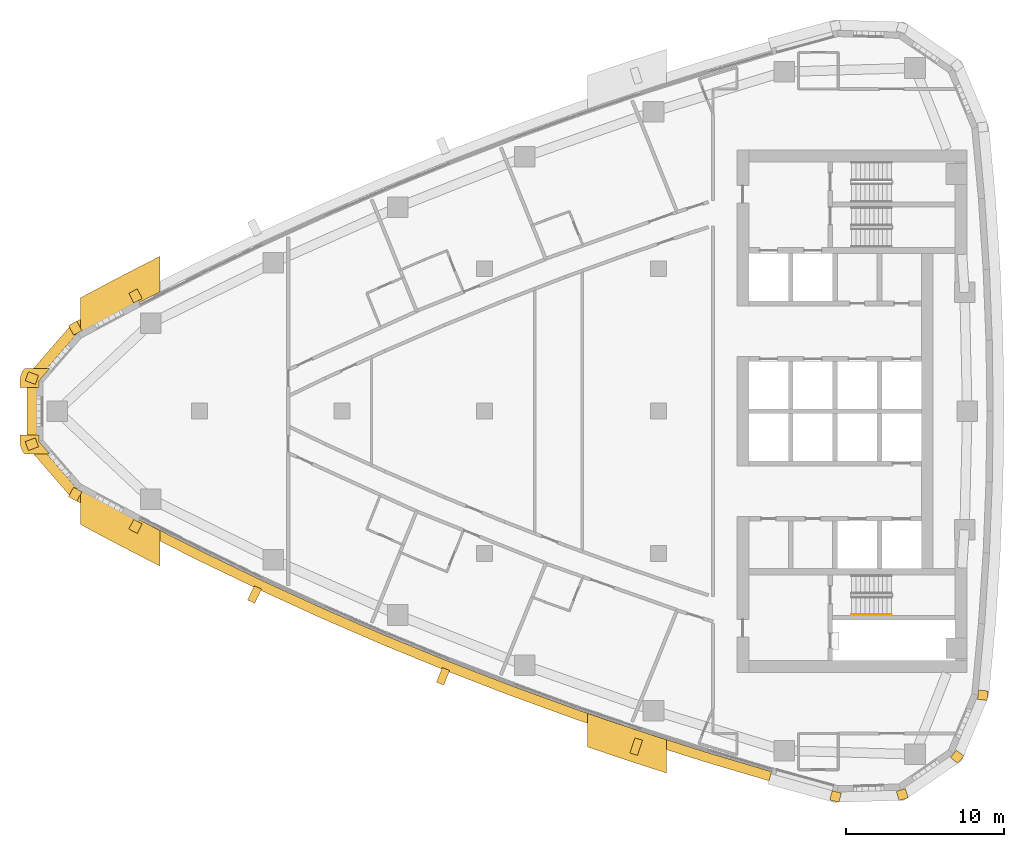
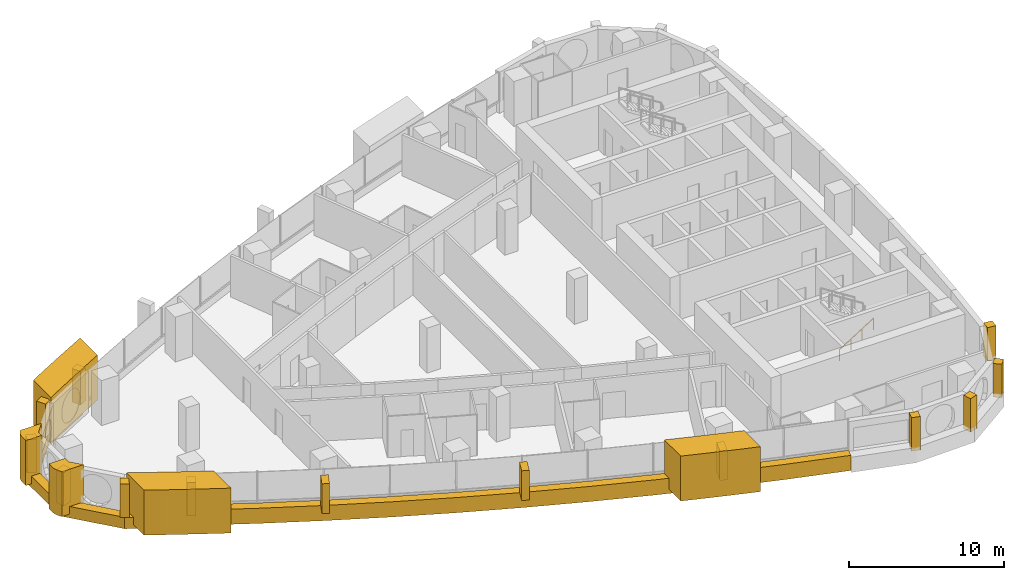
# One storey, part 14 of 17: 20 coverings, 1 railing.
"""IFC4 building model written with IfcOpenShell, lengths in metres."""

from ifc_helpers import new_model, si_unit, direction, frame, frame_2d, origin, origin_2d, place, context, subcontext, project, spatial, polyline, rectangle, circle, outline, extrude, material, layer, layer_set, type_object, element, save


model = new_model("IFC4")

# Units and contexts
model_context = context("Model", 3, precision=1e-05, world=origin(), true_north=direction((0.0, 1.0)))
body_context = subcontext(model_context, "Body", "Model", "MODEL_VIEW")
ifc_project = project(units=[si_unit("LENGTHUNIT", "METRE"), si_unit("AREAUNIT", "SQUARE_METRE"), si_unit("VOLUMEUNIT", "CUBIC_METRE"), si_unit("PLANEANGLEUNIT", "RADIAN"), si_unit("MASSUNIT", "GRAM", prefix="KILO")], contexts=[model_context])

# Site, building, storey
site_placement = place(None, origin())
site = spatial("IfcSite", under=ifc_project, at=site_placement, CompositionType="ELEMENT")
building_placement = place(site_placement, origin())
building = spatial("IfcBuilding", under=site, at=building_placement, Name="Ostrand Prow Hotel Tower", CompositionType="ELEMENT")
storey_placement = place(building_placement, frame((0.0, 0.0, 193.25)))
storey = spatial("IfcBuildingStorey", under=building, at=storey_placement, Name="L48", CompositionType="ELEMENT", Elevation=193.25)

# Coverings
ifc_material_1 = material(Name="Bronze anodised aluminium cladding", Category="aluminium")
ifc_layer_1 = layer(ifc_material_1, 0.60009765625)
ifc_layer_set_1 = layer_set([ifc_layer_1], Name="Bronze anodised aluminium cladding")
covering_type_1 = type_object("IfcCoveringType", Name="Bronze prow band 899x600", PredefinedType="CLADDING", material=ifc_layer_set_1)
covering_1_placement = place(storey_placement, frame((0.0, 0.0, -0.300048828125)))
element("IfcCovering", 1, at=covering_1_placement, inside=storey, type_object=covering_type_1, Name="Bronze prow band", PredefinedType="CLADDING", context=body_context, shape_type="SweptSolid", body=[
    extrude(outline(polyline([(11.8037109375, 7.58154296875), (7.9873046875, 5.546630859375), (5.09521484375, 2.20849609375), (5.09521484375, -2.20849609375), (7.9873046875, -5.546630859375), (11.8037109375, -7.58154296875), (12.117431640625, -6.978515625), (8.3134765625, -4.949951171875), (5.732421875, -1.970703125), (5.732421875, 1.970703125), (8.3134765625, 4.949951171875), (12.117431640625, 6.978515625), (11.8037109375, 7.58154296875)])), origin(), (0.0, 0.0, 1.0), 0.900146484375),
])
ifc_material_2 = material(Name="Bronze anodised aluminium cladding", Category="aluminium")
ifc_layer_2 = layer(ifc_material_2, 0.60009765625)
ifc_layer_set_2 = layer_set([ifc_layer_2], Name="Bronze anodised aluminium cladding")
covering_type_2 = type_object("IfcCoveringType", Name="Bronze spandrel band 1200x600", PredefinedType="CLADDING", material=ifc_layer_set_2)
covering_2_placement = place(storey_placement, frame((0.0, 0.0, -0.300048828125)))
element("IfcCovering", 2, at=covering_2_placement, inside=storey, type_object=covering_type_2, Name="Spandrel band S1", PredefinedType="CLADDING", context=body_context, shape_type="SweptSolid", body=[
    extrude(outline(polyline([(11.9052734375, -7.38623046875), (15.757568359375, -9.341796875), (19.648681640625, -11.219482421875), (23.57666015625, -13.0185546875), (27.5400390625, -14.738037109375), (31.537353515625, -16.37744140625), (35.566650390625, -17.93603515625), (39.626708984375, -19.4130859375), (43.7158203125, -20.80810546875), (47.831787109375, -22.12060546875), (51.9736328125, -23.35009765625), (52.138427734375, -22.773193359375), (48.00830078125, -21.547119140625), (43.90380859375, -20.23828125), (39.826171875, -18.84716796875), (35.777587890625, -17.374267578125), (31.759521484375, -15.820068359375), (27.773193359375, -14.185302734375), (23.821044921875, -12.470458984375), (19.90380859375, -10.676513671875), (16.023681640625, -8.80419921875), (12.18212890625, -6.85400390625), (11.9052734375, -7.38623046875)])), origin(), (0.0, 0.0, 1.0), 1.199951171875),
])
ifc_material_3 = material(Name="Limestone cladding", Category="masonry")
ifc_layer_3 = layer(ifc_material_3, 5.0)
ifc_layer_set_3 = layer_set([ifc_layer_3], Name="Limestone cladding")
covering_type_3 = type_object("IfcCoveringType", Name="Portal jamb pilaster limestone", PredefinedType="CLADDING", material=ifc_layer_set_3)
covering_3_placement = place(storey_placement, origin())
element("IfcCovering", 3, at=covering_3_placement, inside=storey, type_object=covering_type_3, Name="Portal jamb SA L48", PredefinedType="CLADDING", context=body_context, shape_type="SweptSolid", body=[
    extrude(outline(polyline([(8.5, -4.89208984375), (8.5, -7.1669921875), (9.5, -7.702392578125), (10.5, -8.231201171875), (11.5, -8.75341796875), (12.5, -9.268798828125), (13.5, -9.777587890625), (13.5, -7.533935546875), (12.5, -7.01904296875), (11.5, -6.497314453125), (10.5, -5.968994140625), (9.5, -5.43408203125), (8.5, -4.89208984375)])), origin(), (0.0, 0.0, 1.0), 3.550048828125),
])
covering_4_placement = place(storey_placement, origin())
element("IfcCovering", 4, at=covering_4_placement, inside=storey, type_object=covering_type_3, Name="Portal jamb SB L48", PredefinedType="CLADDING", context=body_context, shape_type="SweptSolid", body=[
    extrude(outline(polyline([(40.5, -19.08349609375), (40.5, -21.200439453125), (41.5, -21.542724609375), (42.5, -21.879638671875), (43.5, -22.211181640625), (44.5, -22.537109375), (45.5, -22.85791015625), (45.5, -20.75830078125), (44.5, -20.43408203125), (43.5, -20.104736328125), (42.5, -19.769775390625), (41.5, -19.429443359375), (40.5, -19.08349609375)])), origin(), (0.0, 0.0, 1.0), 3.550048828125),
])
covering_5_placement = place(storey_placement, origin())
element("IfcCovering", 5, at=covering_5_placement, inside=storey, type_object=covering_type_3, Name="Portal jamb NA L48", PredefinedType="CLADDING", context=body_context, shape_type="SweptSolid", body=[
    extrude(outline(polyline([(8.5, 4.89208984375), (9.5, 5.43408203125), (10.5, 5.968994140625), (11.5, 6.497314453125), (12.5, 7.01904296875), (13.5, 7.533935546875), (13.5, 9.777587890625), (12.5, 9.268798828125), (11.5, 8.75341796875), (10.5, 8.231201171875), (9.5, 7.702392578125), (8.5, 7.1669921875), (8.5, 4.89208984375)])), origin(), (0.0, 0.0, 1.0), 3.550048828125),
])
ifc_material_4 = material(Name="Limestone cladding", Category="masonry")
ifc_layer_4 = layer(ifc_material_4, 0.5)
ifc_layer_set_4 = layer_set([ifc_layer_4], Name="Limestone cladding")
covering_type_4 = type_object("IfcCoveringType", Name="Precast stone fin 500x900", PredefinedType="CLADDING", material=ifc_layer_set_4)
covering_6_placement = place(storey_placement, frame((19.691162109375, -11.129150390625, 0.89990234375), z_axis=(0.0, 0.0, 1.0), x_axis=(-0.425597120581, -0.904912753227, 0.0)))
element("IfcCovering", 6, at=covering_6_placement, inside=storey, type_object=covering_type_4, Name="Stone fin S 3", PredefinedType="CLADDING", context=body_context, shape_type="SweptSolid", body=[
    extrude(rectangle(XDim=0.999755859375, YDim=0.5, at=frame_2d((0.5, 0.0))), origin(), (0.0, 0.0, 1.0), 2.35009765625),
])
for number, where, z_axis, x_axis, name in (
    (7, (31.57421875, -16.284423828125, 0.89990234375), (0.0, 0.0, 1.0), (-0.37012750131, -0.9289809647, 0.0), "Stone fin S 6"),
    (8, (43.7470703125, -20.713134765625, 0.89990234375), (0.0, 0.0, 1.0), (-0.313443495886, -0.949606852801, 0.0), "Stone fin S 9"),
):
    element("IfcCovering", number, at=place(storey_placement, frame(where, z_axis=z_axis, x_axis=x_axis)), inside=storey, type_object=covering_type_4, Name=name, PredefinedType="CLADDING", context=body_context, shape_type="SweptSolid", body=[
        extrude(rectangle(XDim=1.0, YDim=0.5, at=frame_2d((0.5, 0.0))), origin(), (0.0, 0.0, 1.0), 2.35009765625),
    ])
ifc_material_5 = material(Name="Limestone cladding", Category="masonry")
ifc_layer_5 = layer(ifc_material_5, 0.60009765625)
ifc_layer_set_5 = layer_set([ifc_layer_5], Name="Limestone cladding")
covering_type_5 = type_object("IfcCoveringType", Name="Precast stone prow rib 600x600", PredefinedType="CLADDING", material=ifc_layer_set_5)
covering_7_placement = place(storey_placement, frame((12.117431640625, 6.978515625, 0.60009765625), z_axis=(0.0, 0.0, 1.0), x_axis=(-0.461522357319, 0.887128577882, 0.0)))
element("IfcCovering", 9, at=covering_7_placement, inside=storey, type_object=covering_type_5, Name="Stone prow rib 1", PredefinedType="CLADDING", context=body_context, shape_type="SweptSolid", body=[
    extrude(rectangle(XDim=0.6796875, YDim=0.60009765625, at=frame_2d((0.33984375, 0.0))), origin(), (0.0, 0.0, 1.0), 2.64990234375),
])
covering_8_placement = place(storey_placement, frame((8.3134765625, 4.949951171875, 0.60009765625), z_axis=(0.0, 0.0, 1.0), x_axis=(-0.479656876283, 0.877456141943, 0.0)))
element("IfcCovering", 10, at=covering_8_placement, inside=storey, type_object=covering_type_5, Name="Stone prow rib 2", PredefinedType="CLADDING", context=body_context, shape_type="SweptSolid", body=[
    extrude(rectangle(XDim=0.679931640625, YDim=0.60009765625, at=frame_2d((0.33984375, 0.0))), origin(), (0.0, 0.0, 1.0), 2.64990234375),
])
for number, where, z_axis, x_axis, name in (
    (11, (5.732421875, 1.970703125, 0.60009765625), (0.0, 0.0, 1.0), (-0.93688855374, 0.349628142277, 0.0), "Stone prow rib 3"),
    (12, (5.732421875, -1.970703125, 0.60009765625), (0.0, 0.0, 1.0), (-0.93688855374, -0.349628142277, 0.0), "Stone prow rib 4"),
):
    element("IfcCovering", number, at=place(storey_placement, frame(where, z_axis=z_axis, x_axis=x_axis)), inside=storey, type_object=covering_type_5, Name=name, PredefinedType="CLADDING", context=body_context, shape_type="SweptSolid", body=[
        extrude(rectangle(XDim=0.68017578125, YDim=0.60009765625, at=frame_2d((0.340087890625, 0.0))), origin(), (0.0, 0.0, 1.0), 2.64990234375),
    ])
covering_9_placement = place(storey_placement, frame((8.3134765625, -4.949951171875, 0.60009765625), z_axis=(0.0, 0.0, 1.0), x_axis=(-0.479656876283, -0.877456141943, 0.0)))
element("IfcCovering", 13, at=covering_9_placement, inside=storey, type_object=covering_type_5, Name="Stone prow rib 5", PredefinedType="CLADDING", context=body_context, shape_type="SweptSolid", body=[
    extrude(rectangle(XDim=0.679931640625, YDim=0.60009765625, at=frame_2d((0.33984375, 0.0))), origin(), (0.0, 0.0, 1.0), 2.64990234375),
])
covering_10_placement = place(storey_placement, frame((12.117431640625, -6.978515625, 0.60009765625), z_axis=(0.0, 0.0, 1.0), x_axis=(-0.461522357319, -0.887128577882, 0.0)))
element("IfcCovering", 14, at=covering_10_placement, inside=storey, type_object=covering_type_5, Name="Stone prow rib 6", PredefinedType="CLADDING", context=body_context, shape_type="SweptSolid", body=[
    extrude(rectangle(XDim=0.6796875, YDim=0.60009765625, at=frame_2d((0.33984375, 0.0))), origin(), (0.0, 0.0, 1.0), 2.64990234375),
])
for number, where, z_axis, x_axis, name in (
    (15, (56.256591796875, -24.05126953125, 0.60009765625), (0.0, 0.0, 1.0), (-0.255154261231, -0.966900358349, 0.0), "Stone corner rib 2a"),
    (16, (60.297607421875, -23.935302734375, 0.60009765625), (0.0, 0.0, 1.0), (0.310484329644, -0.950578498098, 0.0), "Stone corner rib 3a"),
    (17, (63.6279296875, -21.643798828125, 0.60009765625), (0.0, 0.0, 1.0), (0.776922530767, -0.62959620487, 0.0), "Stone corner rib 4a"),
    (18, (65.18017578125, -17.9111328125, 0.60009765625), (0.0, 0.0, 1.0), (0.994255138911, -0.107036062846, 0.0), "Stone corner rib 4b"),
):
    element("IfcCovering", number, at=place(storey_placement, frame(where, z_axis=z_axis, x_axis=x_axis)), inside=storey, type_object=covering_type_5, Name=name, PredefinedType="CLADDING", context=body_context, shape_type="SweptSolid", body=[
        extrude(rectangle(XDim=0.599853515625, YDim=0.60009765625, at=frame_2d((0.2998046875, 0.0))), origin(), (0.0, 0.0, 1.0), 2.64990234375),
    ])
ifc_material_6 = material(Name="Limestone cladding", Category="masonry")
ifc_layer_6 = layer(ifc_material_6, 3.0)
ifc_layer_set_6 = layer_set([ifc_layer_6], Name="Limestone cladding")
covering_type_6 = type_object("IfcCoveringType", Name="Prow nose pier limestone", PredefinedType="CLADDING", material=ifc_layer_set_6)
covering_11_placement = place(storey_placement, origin())
element("IfcCovering", 19, at=covering_11_placement, inside=storey, type_object=covering_type_6, Name="Prow spine fin N L48", PredefinedType="CLADDING", context=body_context, shape_type="SweptSolid", body=[
    extrude(outline(polyline([(4.663818359375, 1.921875), (4.663818359375, 1.5), (5.864013671875, 1.5), (5.864013671875, 1.921875), (6.5380859375, 2.699951171875), (4.950927734375, 2.699951171875), (4.881591796875, 2.611083984375), (4.816650390625, 2.507568359375), (4.762451171875, 2.39794921875), (4.719482421875, 2.283203125), (4.688720703125, 2.164794921875), (4.670166015625, 2.0439453125), (4.663818359375, 1.921875)])), origin(), (0.0, 0.0, 1.0), 3.550048828125),
])
covering_12_placement = place(storey_placement, origin())
element("IfcCovering", 20, at=covering_12_placement, inside=storey, type_object=covering_type_6, Name="Prow spine fin S L48", PredefinedType="CLADDING", context=body_context, shape_type="SweptSolid", body=[
    extrude(outline(polyline([(4.881591796875, -2.611083984375), (4.950927734375, -2.699951171875), (6.5380859375, -2.699951171875), (5.864013671875, -1.921875), (5.864013671875, -1.5), (4.663818359375, -1.5), (4.663818359375, -1.921875), (4.670166015625, -2.0439453125), (4.688720703125, -2.164794921875), (4.719482421875, -2.283203125), (4.762451171875, -2.39794921875), (4.816650390625, -2.507568359375), (4.881591796875, -2.611083984375)])), origin(), (0.0, 0.0, 1.0), 3.550048828125),
])

# Railing
ifc_material_7 = material(Name="Stainless steel", Category="steel")
railing_type = type_object("IfcRailingType", Name="Stair handrail 900", PredefinedType="HANDRAIL", material=ifc_material_7)
railing_placement = place(storey_placement, frame((57.199951171875, -12.85009765625, 0.177490234375)))
element("IfcRailing", 21, at=railing_placement, inside=storey, type_object=railing_type, Name="L48 ST2C stair handrail 1", PredefinedType="HANDRAIL", context=body_context, shape_type="SweptSolid", body=[
    extrude(circle(Radius=0.02392578125, at=origin_2d()), frame((0.0, 0.0, 0.8759765625), z_axis=(0.84460694969, 0.0, 0.535386869969), x_axis=(0.0, 1.0, 0.0)), (0.0, 0.0, 1.0), 2.983642578125),
    extrude(circle(Radius=0.02099609375, at=origin_2d()), origin(), (0.0, 0.0, 1.0), 0.851806640625),
    extrude(circle(Radius=0.02099609375, at=origin_2d()), frame((0.840087890625, 0.0, 0.532470703125)), (0.0, 0.0, 1.0), 0.851806640625),
    extrude(circle(Radius=0.02099609375, at=origin_2d()), frame((1.679931640625, 0.0, 1.06494140625)), (0.0, 0.0, 1.0), 0.851806640625),
    extrude(circle(Radius=0.02099609375, at=origin_2d()), frame((2.52001953125, 0.0, 1.597412109375)), (0.0, 0.0, 1.0), 0.851806640625),
])

save(model, "model.ifc")
